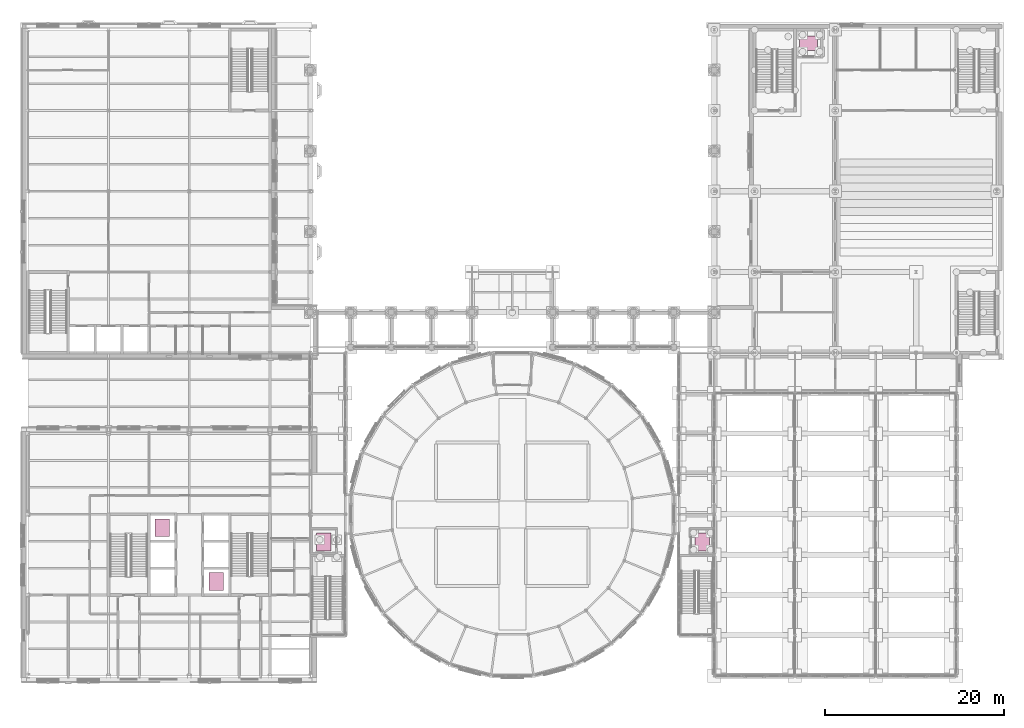
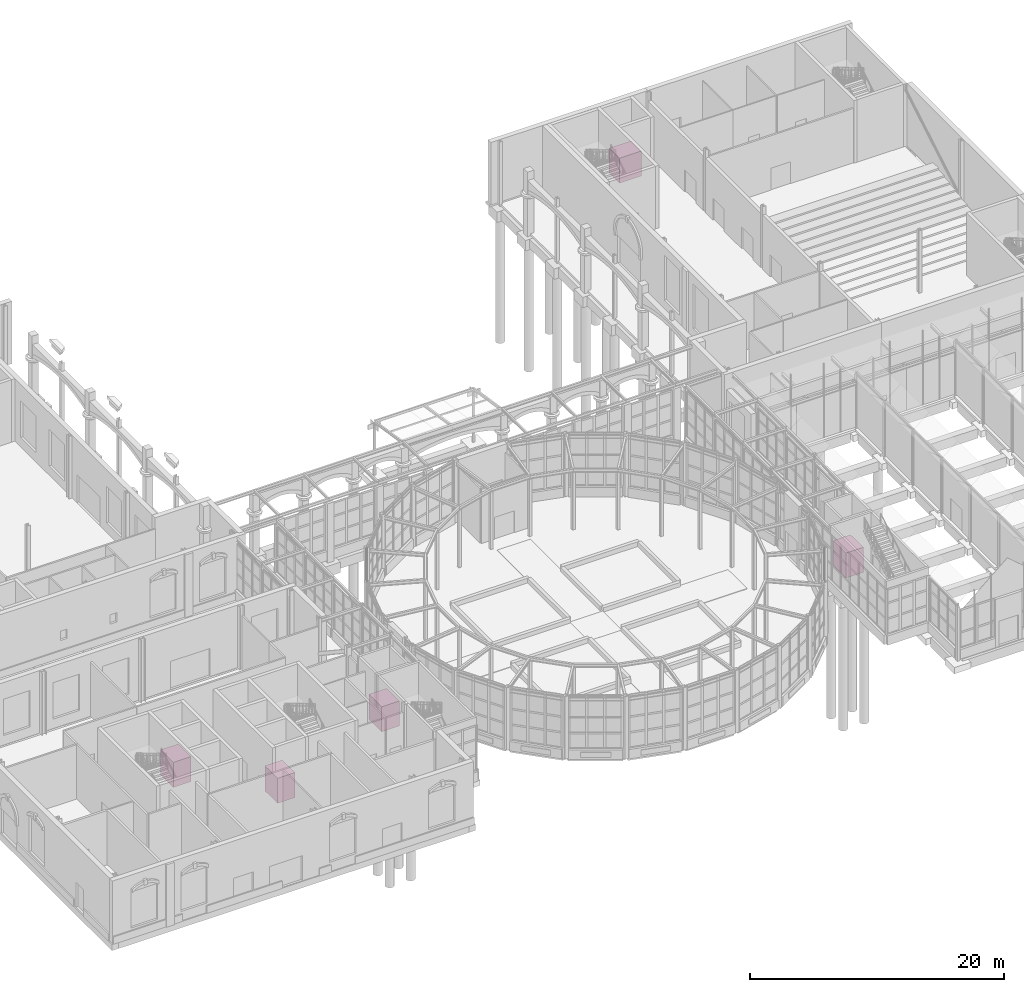
# One storey, part 106 of 106: 5 transport elements.
"""IFC4 building model written with IfcOpenShell, lengths in metres."""

from ifc_helpers import new_model, si_unit, direction, frame, origin, origin_2d, place, context, subcontext, project, spatial, rectangle, extrude, material, type_object, element, save


model = new_model("IFC4")

# Units and contexts
model_context = context("Model", 3, precision=1e-05, world=origin(), true_north=direction((0.0, 1.0)))
body_context = subcontext(model_context, "Body", "Model", "MODEL_VIEW")
ifc_project = project(units=[si_unit("LENGTHUNIT", "METRE"), si_unit("AREAUNIT", "SQUARE_METRE"), si_unit("VOLUMEUNIT", "CUBIC_METRE"), si_unit("PLANEANGLEUNIT", "RADIAN"), si_unit("MASSUNIT", "GRAM", prefix="KILO")], contexts=[model_context])

# Site, building, storey
site_placement = place(None, origin())
site = spatial("IfcSite", under=ifc_project, at=site_placement, CompositionType="ELEMENT")
building_placement = place(site_placement, origin())
building = spatial("IfcBuilding", under=site, at=building_placement, Name="Hortulan Conservatory and Botanical Research Centre", CompositionType="ELEMENT")
storey_placement = place(building_placement, origin())
storey = spatial("IfcBuildingStorey", under=building, at=storey_placement, Name="L00", CompositionType="ELEMENT", Elevation=0.0)

# Transport elements
ifc_material = material(Name="Stainless steel lift car lining", Category="steel")
transport_element_type = type_object("IfcTransportElementType", Name="Passenger Lift Car 2000x1600", PredefinedType="ELEVATOR", material=ifc_material)
for number, where, z_axis, x_axis, name in (
    (1, (21.0, 10.5, 0.0), (0.0, 0.0, 1.0), (1.0, 0.0, 0.0), "Lift LP4 car"),
    (2, (15.0, 16.5, 0.0), (0.0, 0.0, 1.0), (1.0, 0.0, 0.0), "Lift LP3 car"),
):
    element("IfcTransportElement", number, at=place(storey_placement, frame(where, z_axis=z_axis, x_axis=x_axis)), inside=storey, type_object=transport_element_type, Name=name, PredefinedType="ELEVATOR", context=body_context, shape_type="SweptSolid", body=[
        extrude(rectangle(XDim=1.60009765625, YDim=2.0, at=origin_2d()), origin(), (0.0, 0.0, 1.0), 2.39990234375),
    ])
transport_element_placement = place(storey_placement, frame((87.0, 70.5, 0.0), z_axis=(0.0, 0.0, 1.0), x_axis=(1.0, 0.0, 0.0)))
element("IfcTransportElement", 3, at=transport_element_placement, inside=storey, type_object=transport_element_type, Name="Lift LA1 car", PredefinedType="ELEVATOR", context=body_context, shape_type="SweptSolid", body=[
    extrude(rectangle(XDim=2.0, YDim=1.60009765625, at=origin_2d()), origin(), (0.0, 0.0, 1.0), 2.39990234375),
])
for number, where, z_axis, x_axis, name in (
    (4, (33.0, 14.89990234375, 0.0), (0.0, 0.0, 1.0), (1.0, 0.0, 0.0), "Lift LHW car"),
    (5, (75.14990234375, 14.89990234375, 0.0), (0.0, 0.0, 1.0), (1.0, 0.0, 0.0), "Lift LHE car"),
):
    element("IfcTransportElement", number, at=place(storey_placement, frame(where, z_axis=z_axis, x_axis=x_axis)), inside=storey, type_object=transport_element_type, Name=name, PredefinedType="ELEVATOR", context=body_context, shape_type="SweptSolid", body=[
        extrude(rectangle(XDim=1.60009765625, YDim=2.0, at=origin_2d()), origin(), (0.0, 0.0, 1.0), 2.39990234375),
    ])

save(model, "model.ifc")
